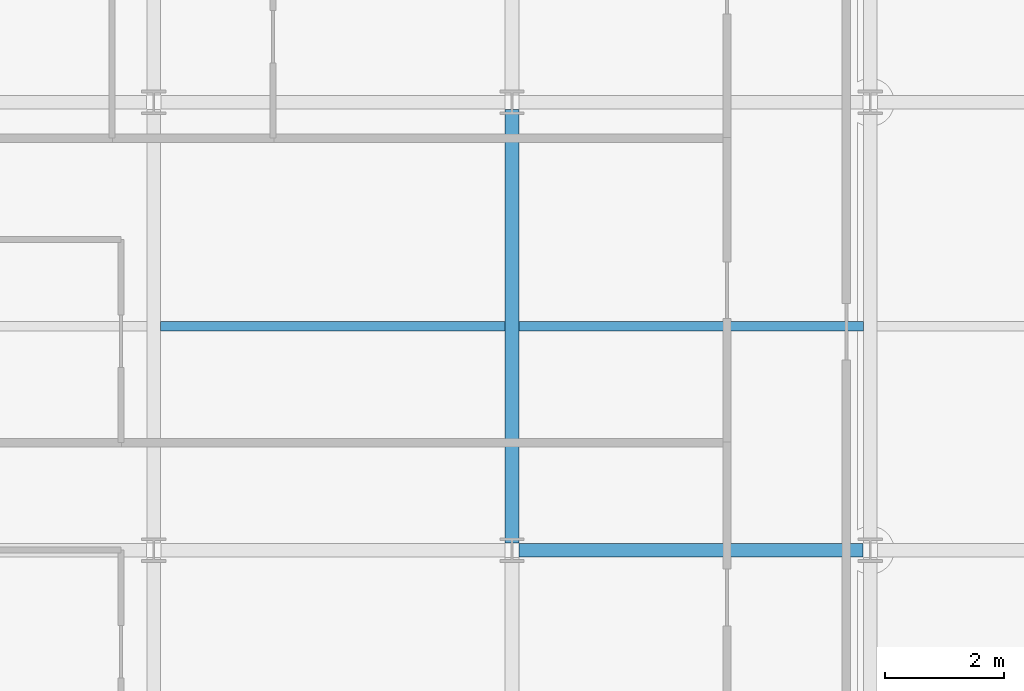
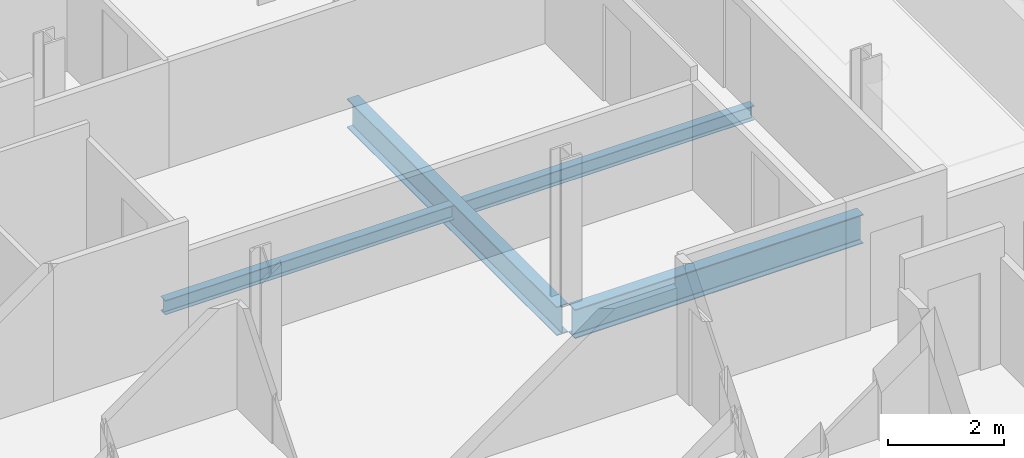
# One storey, part 8 of 41: 4 beams.
"""IFC4 building model written with IfcOpenShell, lengths in metres."""

from ifc_helpers import new_model, si_unit, direction, frame, origin, origin_2d, place, context, subcontext, project, spatial, i_section, extrude, material, material_profile, profile_set, type_object, element, save


model = new_model("IFC4")

# Units and contexts
model_context = context("Model", 3, precision=1e-05, world=origin(), true_north=direction((0.0, 1.0)))
body_context = subcontext(model_context, "Body", "Model", "MODEL_VIEW")
ifc_project = project(units=[si_unit("LENGTHUNIT", "METRE"), si_unit("AREAUNIT", "SQUARE_METRE"), si_unit("VOLUMEUNIT", "CUBIC_METRE"), si_unit("PLANEANGLEUNIT", "RADIAN"), si_unit("MASSUNIT", "GRAM", prefix="KILO")], contexts=[model_context])

# Site, building, storey
site_placement = place(None, origin())
site = spatial("IfcSite", under=ifc_project, at=site_placement, CompositionType="ELEMENT")
building_placement = place(site_placement, origin())
building = spatial("IfcBuilding", under=site, at=building_placement, Name="Brevholm Reach", CompositionType="ELEMENT")
storey_placement = place(building_placement, frame((0.0, 0.0, 151.10009765625)))
storey = spatial("IfcBuildingStorey", under=building, at=storey_placement, Name="L45", CompositionType="ELEMENT", Elevation=151.10009765625)

# Beams
ifc_material_1 = material(Name="Structural Steel S355J2", Category="steel")
ifc_material_profile_1 = material_profile(ifc_material_1, i_section(OverallWidth=0.1650390625, OverallDepth=0.303466796875, WebThickness=0.006103515625, FlangeThickness=0.01025390625, FilletRadius=0.0087890625, at=origin_2d()), Name="UKB 305x165x40")
ifc_profile_set_1 = profile_set([ifc_material_profile_1], Name="Structural Steel S355J2")
beam_type_1 = type_object("IfcBeamType", Name="BM-B305", PredefinedType="BEAM", material=ifc_profile_set_1)
for number, where, z_axis, x_axis, name in (
    (1, (6.114501953125, 19.75, -0.371826171875), (1.0, 0.0, 0.0), (0.0, 1.0, 0.0), "L45 Composite Secondary Floor Beam"),
    (2, (12.114501953125, 19.75, -0.371826171875), (1.0, 0.0, 0.0), (0.0, 1.0, 0.0), "L45 Composite Secondary Floor Beam"),
):
    element("IfcBeam", number, at=place(storey_placement, frame(where, z_axis=z_axis, x_axis=x_axis)), inside=storey, type_object=beam_type_1, Name=name, PredefinedType="BEAM", context=body_context, shape_type="SweptSolid", body=[
        extrude(i_section(OverallWidth=0.1650390625, OverallDepth=0.303466796875, WebThickness=0.006103515625, FlangeThickness=0.01025390625, FilletRadius=0.0087890625, at=origin_2d()), origin(), (0.0, 0.0, 1.0), 5.77099609375),
    ])
ifc_material_2 = material(Name="Structural Steel S355J2", Category="steel")
ifc_material_profile_2 = material_profile(ifc_material_2, i_section(OverallWidth=0.22900390625, OverallDepth=0.6123046875, WebThickness=0.011962890625, FlangeThickness=0.01953125, FilletRadius=0.0126953125, at=origin_2d()), Name="UKB 610x229x125")
ifc_profile_set_2 = profile_set([ifc_material_profile_2], Name="Structural Steel S355J2")
beam_type_2 = type_object("IfcBeamType", Name="BM-SP610", PredefinedType="SPANDREL", material=ifc_profile_set_2)
beam_1_placement = place(storey_placement, frame((12.1201171875, 16.0, -0.526123046875), z_axis=(1.0, 0.0, 0.0), x_axis=(0.0, 1.0, 0.0)))
element("IfcBeam", 3, at=beam_1_placement, inside=storey, type_object=beam_type_2, Name="L45 SP-01 Framing Beam", PredefinedType="SPANDREL", context=body_context, shape_type="SweptSolid", body=[
    extrude(i_section(OverallWidth=0.22900390625, OverallDepth=0.6123046875, WebThickness=0.011962890625, FlangeThickness=0.01953125, FilletRadius=0.0126953125, at=origin_2d()), origin(), (0.0, 0.0, 1.0), 5.759765625),
])
beam_2_placement = place(storey_placement, frame((12.0, 16.1201171875, -0.526123046875), z_axis=(0.0, 1.0, 0.0), x_axis=(-1.0, 0.0, 0.0)))
element("IfcBeam", 4, at=beam_2_placement, inside=storey, type_object=beam_type_2, Name="L45 SP-01 Framing Beam", PredefinedType="SPANDREL", context=body_context, shape_type="SweptSolid", body=[
    extrude(i_section(OverallWidth=0.22900390625, OverallDepth=0.6123046875, WebThickness=0.011962890625, FlangeThickness=0.01953125, FilletRadius=0.0126953125, at=origin_2d()), origin(), (0.0, 0.0, 1.0), 7.259765625),
])

save(model, "model.ifc")
